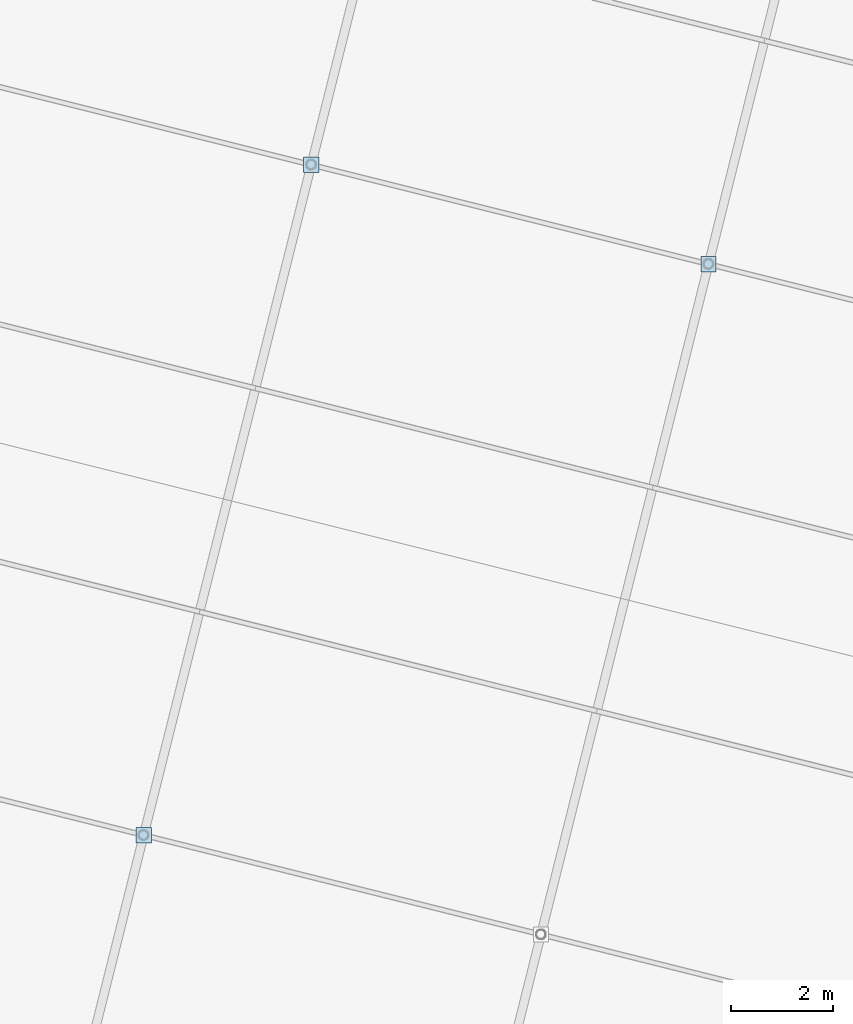
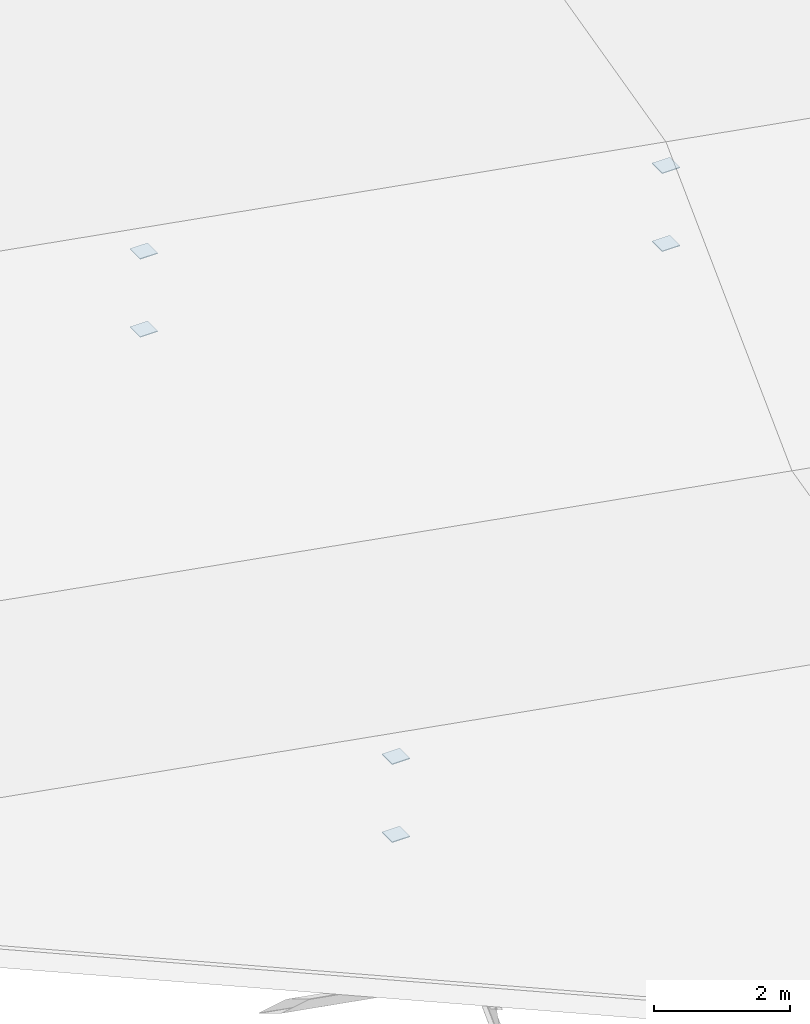
# One storey, part 104 of 107: 6 plates.
"""IFC4 building model written with IfcOpenShell, lengths in metres."""

from ifc_helpers import new_model, si_unit, derived_unit, direction, frame, origin, origin_2d, place, context, subcontext, project, spatial, rectangle, extrude, material, layer, layer_set, type_object, element, save


model = new_model("IFC4")

# Units and contexts
model_context = context("Model", 3, precision=1e-05, world=origin(), true_north=direction((0.0, 1.0)))
body_context = subcontext(model_context, "Body", "Model", "MODEL_VIEW")
ifc_project = project(units=[si_unit("LENGTHUNIT", "METRE"), si_unit("AREAUNIT", "SQUARE_METRE"), si_unit("VOLUMEUNIT", "CUBIC_METRE"), si_unit("PLANEANGLEUNIT", "RADIAN"), si_unit("MASSUNIT", "GRAM", prefix="KILO"), si_unit("THERMODYNAMICTEMPERATUREUNIT", "KELVIN"), si_unit("TIMEUNIT", "SECOND"), derived_unit("THERMALTRANSMITTANCEUNIT", [(si_unit("MASSUNIT", "GRAM", prefix="KILO"), 1), (si_unit("THERMODYNAMICTEMPERATUREUNIT", "KELVIN"), -1), (si_unit("TIMEUNIT", "SECOND"), -3)])], contexts=[model_context])

# Site, building, storey
site_placement = place(None, origin())
site = spatial("IfcSite", under=ifc_project, at=site_placement, CompositionType="ELEMENT")
building_placement = place(site_placement, origin())
building = spatial("IfcBuilding", under=site, at=building_placement, Name="Cambertide Market Hall", CompositionType="ELEMENT")
storey_placement = place(building_placement, frame((0.0, 0.0, 18.300048828125)))
storey = spatial("IfcBuildingStorey", under=building, at=storey_placement, Name="RF", CompositionType="ELEMENT", Elevation=18.300048828125)

# Plates
ifc_material = material(Name="Steel S355", Category="steel")
ifc_layer = layer(ifc_material, 0.013916015625, Name="Steel End Cap Plate EC-02")
ifc_layer_set = layer_set([ifc_layer], Name="Steel S355")
plate_type = type_object("IfcPlateType", Name="Steel End Cap Plate EC-02", PredefinedType="USERDEFINED", material=ifc_layer_set)
for number, where, z_axis, x_axis, name in (
    (1, (148.44287109375, 96.846923828125, -0.4072265625), (0.0, 0.0, 1.0), (1.0, 0.0, 0.0), "High-Bay Brace Connection End Cap Plate EC-BRN-257"),
    (2, (148.44287109375, 96.846923828125, 0.99609375), (0.0, 0.0, 1.0), (1.0, 0.0, 0.0), "High-Bay Brace Connection End Cap Plate EC-BRN-258"),
    (3, (151.717041015625, 109.94384765625, -0.4072265625), (0.0, 0.0, 1.0), (1.0, 0.0, 0.0), "High-Bay Brace Connection End Cap Plate EC-BRN-259"),
    (4, (151.717041015625, 109.94384765625, 0.99609375), (0.0, 0.0, 1.0), (1.0, 0.0, 0.0), "High-Bay Brace Connection End Cap Plate EC-BRN-260"),
    (5, (159.478271484375, 108.003662109375, -0.4072265625), (0.0, 0.0, 1.0), (1.0, 0.0, 0.0), "High-Bay Brace Connection End Cap Plate EC-BRN-263"),
    (6, (159.478271484375, 108.003662109375, 0.99609375), (0.0, 0.0, 1.0), (1.0, 0.0, 0.0), "High-Bay Brace Connection End Cap Plate EC-BRN-264"),
):
    element("IfcPlate", number, at=place(storey_placement, frame(where, z_axis=z_axis, x_axis=x_axis)), inside=storey, type_object=plate_type, Name=name, ObjectType="END CAP PLATE", PredefinedType="USERDEFINED", context=body_context, shape_type="SweptSolid", body=[
        extrude(rectangle(XDim=0.300048828125, YDim=0.300048828125, at=origin_2d()), origin(), (0.0, 0.0, 1.0), 0.013916015625),
    ])

save(model, "model.ifc")
